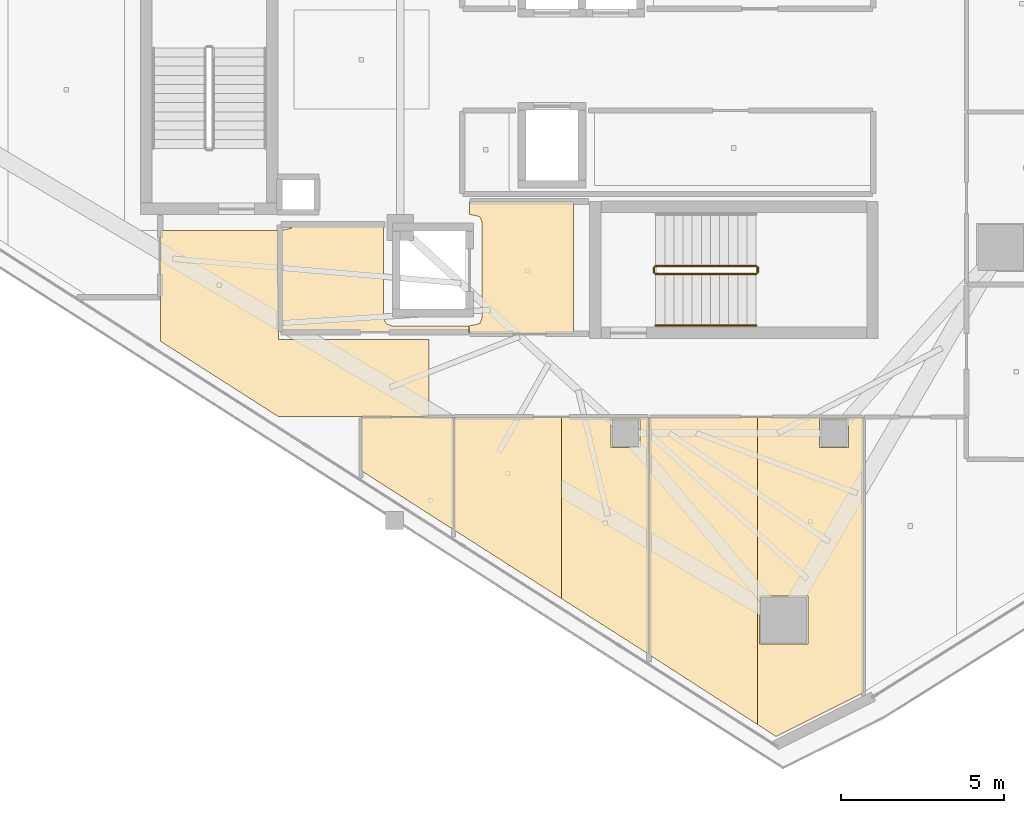
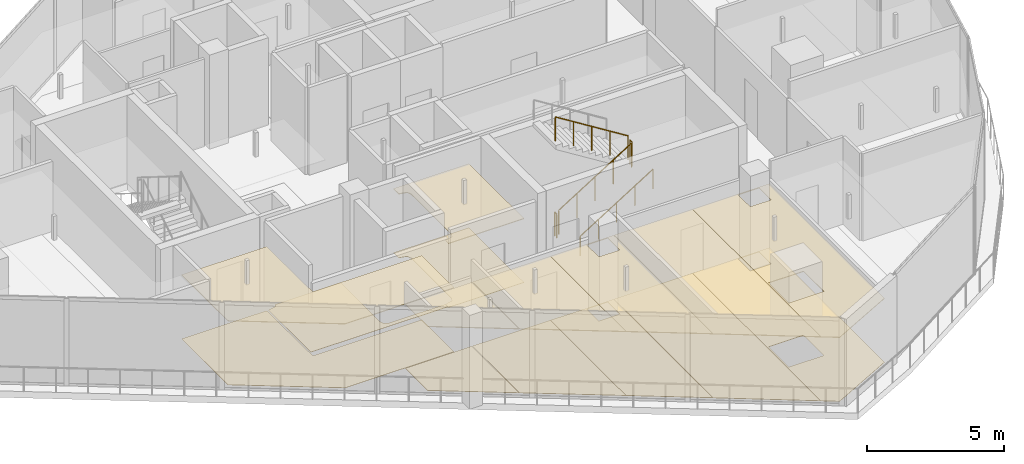
# One storey, part 20 of 24: 15 coverings, 5 railings.
"""IFC4 building model written with IfcOpenShell, lengths in metres."""

from ifc_helpers import new_model, si_unit, direction, frame, origin, origin_2d, place, context, subcontext, project, spatial, polyline, circle, outline, extrude, material, layer, layer_set, type_object, element, save


model = new_model("IFC4")

# Units and contexts
model_context = context("Model", 3, precision=1e-05, world=origin(), true_north=direction((0.0, 1.0)))
body_context = subcontext(model_context, "Body", "Model", "MODEL_VIEW")
ifc_project = project(units=[si_unit("LENGTHUNIT", "METRE"), si_unit("AREAUNIT", "SQUARE_METRE"), si_unit("VOLUMEUNIT", "CUBIC_METRE"), si_unit("PLANEANGLEUNIT", "RADIAN"), si_unit("MASSUNIT", "GRAM", prefix="KILO")], contexts=[model_context])

# Site, building, storey
site_placement = place(None, origin())
site = spatial("IfcSite", under=ifc_project, at=site_placement, CompositionType="ELEMENT")
building_placement = place(site_placement, origin())
building = spatial("IfcBuilding", under=site, at=building_placement, Name="Qorvath Tower", CompositionType="ELEMENT")
storey_placement = place(building_placement, frame((0.0, 0.0, 318.60009765625)))
storey = spatial("IfcBuildingStorey", under=building, at=storey_placement, Name="L74", CompositionType="ELEMENT", Elevation=318.60009765625)

# Coverings
ifc_material_1 = material(Name="Acoustic mineral fibre ceiling tile", Category="gypsum")
ifc_layer_1 = layer(ifc_material_1, 0.030029296875)
ifc_layer_set_1 = layer_set([ifc_layer_1], Name="COV-CEIL")
covering_type_1 = type_object("IfcCoveringType", Name="COV-CEIL", PredefinedType="CEILING", material=ifc_layer_set_1)
covering_1_placement = place(storey_placement, frame((0.0, 0.0, 2.849853515625)))
element("IfcCovering", 1, at=covering_1_placement, inside=storey, type_object=covering_type_1, Name="L74 Suspended Acoustic Ceiling 002", PredefinedType="CEILING", context=body_context, shape_type="SweptSolid", body=[
    extrude(outline(polyline([(-25.18994140625, -8.39501953125), (-25.18994140625, -4.35498046875), (-28.375, -4.35498046875), (-28.375, -4.739990234375), (-28.063232421875, -4.813232421875), (-27.989990234375, -4.989990234375), (-27.989990234375, -7.909912109375), (-28.063232421875, -8.086669921875), (-28.375, -8.159912109375), (-28.375, -8.39501953125), (-25.18994140625, -8.39501953125)])), origin(), (0.0, 0.0, 1.0), 0.030029296875),
])
covering_2_placement = place(storey_placement, frame((0.0, 0.0, 2.849853515625)))
element("IfcCovering", 2, at=covering_2_placement, inside=storey, type_object=covering_type_1, Name="L74 Suspended Acoustic Ceiling 010", PredefinedType="CEILING", context=body_context, shape_type="SweptSolid", body=[
    extrude(outline(polyline([(-34.22509765625, -8.580078125), (-34.251220703125, -5.239990234375), (-37.844970703125, -5.239990234375), (-37.844970703125, -8.632568359375), (-34.22705078125, -10.945068359375), (-29.614990234375, -10.945068359375), (-29.614990234375, -8.5771484375), (-34.22509765625, -8.580078125)])), origin(), (0.0, 0.0, 1.0), 0.030029296875),
])
covering_3_placement = place(storey_placement, frame((0.0, 0.0, 2.849853515625)))
element("IfcCovering", 3, at=covering_3_placement, inside=storey, type_object=covering_type_1, Name="L74 Suspended Acoustic Ceiling 019", PredefinedType="CEILING", context=body_context, shape_type="SweptSolid", body=[
    extrude(outline(polyline([(-31.69140625, -12.60107421875), (-28.8720703125, -14.403076171875), (-28.8720703125, -10.962890625), (-31.69140625, -10.962890625), (-31.69140625, -12.60107421875)])), origin(), (0.0, 0.0, 1.0), 0.030029296875),
])
covering_4_placement = place(storey_placement, frame((0.0, 0.0, 2.849853515625)))
element("IfcCovering", 4, at=covering_4_placement, inside=storey, type_object=covering_type_1, Name="L74 Suspended Acoustic Ceiling 020", PredefinedType="CEILING", context=body_context, shape_type="SweptSolid", body=[
    extrude(outline(polyline([(-28.85400390625, -14.41455078125), (-25.5615234375, -16.51513671875), (-25.5615234375, -10.962890625), (-28.85400390625, -10.962890625), (-28.85400390625, -14.41455078125)])), origin(), (0.0, 0.0, 1.0), 0.030029296875),
])
covering_5_placement = place(storey_placement, frame((0.0, 0.0, 2.849853515625)))
element("IfcCovering", 5, at=covering_5_placement, inside=storey, type_object=covering_type_1, Name="L74 Suspended Acoustic Ceiling 021", PredefinedType="CEILING", context=body_context, shape_type="SweptSolid", body=[
    extrude(outline(polyline([(-25.5615234375, -10.962890625), (-25.5615234375, -16.51513671875), (-22.880615234375, -18.225830078125), (-22.882080078125, -10.962890625), (-25.5615234375, -10.962890625)]), holes=[polyline([(-24.04248046875, -11.892333984375), (-24.04248046875, -11.007568359375), (-23.157470703125, -11.007568359375), (-23.157470703125, -11.892333984375), (-24.04248046875, -11.892333984375)])]), origin(), (0.0, 0.0, 1.0), 0.030029296875),
])
covering_6_placement = place(storey_placement, frame((0.0, 0.0, 2.849853515625)))
element("IfcCovering", 6, at=covering_6_placement, inside=storey, type_object=covering_type_1, Name="L74 Suspended Acoustic Ceiling 022", PredefinedType="CEILING", context=body_context, shape_type="SweptSolid", body=[
    extrude(outline(polyline([(-22.87353515625, -18.23681640625), (-19.5546875, -20.374267578125), (-19.5546875, -10.962890625), (-22.864013671875, -10.962890625), (-22.87353515625, -18.23681640625)])), origin(), (0.0, 0.0, 1.0), 0.030029296875),
])
covering_7_placement = place(storey_placement, frame((0.0, 0.0, 2.849853515625)))
element("IfcCovering", 7, at=covering_7_placement, inside=storey, type_object=covering_type_1, Name="L74 Suspended Acoustic Ceiling 023", PredefinedType="CEILING", context=body_context, shape_type="SweptSolid", body=[
    extrude(outline(polyline([(-19.5546875, -10.962890625), (-19.5546875, -20.374267578125), (-18.976318359375, -20.74658203125), (-16.302490234375, -19.404296875), (-16.3017578125, -10.962890625), (-19.5546875, -10.962890625)]), holes=[polyline([(-17.642333984375, -11.892333984375), (-17.642333984375, -11.007568359375), (-16.757568359375, -11.007568359375), (-16.757568359375, -11.892333984375), (-17.642333984375, -11.892333984375)]), polyline([(-19.492919921875, -17.91796875), (-19.492919921875, -16.43310546875), (-18.008056640625, -16.43310546875), (-18.008056640625, -17.91796875), (-19.492919921875, -17.91796875)])]), origin(), (0.0, 0.0, 1.0), 0.030029296875),
])
ifc_material_2 = material(Name="Low-VOC modular carpet tile", Category="textile")
ifc_layer_2 = layer(ifc_material_2, 0.014892578125)
ifc_layer_set_2 = layer_set([ifc_layer_2], Name="COV-FLOOR-CPT")
covering_type_2 = type_object("IfcCoveringType", Name="COV-FLOOR-CPT", PredefinedType="FLOORING", material=ifc_layer_set_2)
covering_8_placement = place(storey_placement, origin())
element("IfcCovering", 8, at=covering_8_placement, inside=storey, type_object=covering_type_2, Name="L74 Floor Finish 008", PredefinedType="FLOORING", context=body_context, shape_type="SweptSolid", body=[
    extrude(outline(polyline([(-33.786865234375, -5.054931640625), (-33.833251953125, -5.166748046875), (-34.175048828125, -5.239990234375), (-34.175048828125, -8.344970703125), (-28.39306640625, -8.344970703125), (-28.39306640625, -8.159912109375), (-30.760009765625, -8.159912109375), (-30.936767578125, -8.086669921875), (-31.010009765625, -7.909912109375), (-31.010009765625, -5.054931640625), (-33.786865234375, -5.054931640625)])), origin(), (0.0, 0.0, 1.0), 0.014892578125),
])
covering_9_placement = place(storey_placement, origin())
element("IfcCovering", 9, at=covering_9_placement, inside=storey, type_object=covering_type_2, Name="L74 Floor Finish 019", PredefinedType="FLOORING", context=body_context, shape_type="SweptSolid", body=[
    extrude(outline(polyline([(-31.69140625, -12.60107421875), (-28.8720703125, -14.403076171875), (-28.8720703125, -10.962890625), (-31.69140625, -10.962890625), (-31.69140625, -12.60107421875)])), origin(), (0.0, 0.0, 1.0), 0.014892578125),
])
covering_10_placement = place(storey_placement, origin())
element("IfcCovering", 10, at=covering_10_placement, inside=storey, type_object=covering_type_2, Name="L74 Floor Finish 020", PredefinedType="FLOORING", context=body_context, shape_type="SweptSolid", body=[
    extrude(outline(polyline([(-28.85400390625, -14.41455078125), (-25.5615234375, -16.51513671875), (-25.5615234375, -10.962890625), (-28.85400390625, -10.962890625), (-28.85400390625, -14.41455078125)])), origin(), (0.0, 0.0, 1.0), 0.014892578125),
])
covering_11_placement = place(storey_placement, origin())
element("IfcCovering", 11, at=covering_11_placement, inside=storey, type_object=covering_type_2, Name="L74 Floor Finish 021", PredefinedType="FLOORING", context=body_context, shape_type="SweptSolid", body=[
    extrude(outline(polyline([(-25.5615234375, -10.962890625), (-25.5615234375, -16.51513671875), (-22.880615234375, -18.225830078125), (-22.882080078125, -10.962890625), (-25.5615234375, -10.962890625)]), holes=[polyline([(-24.04248046875, -11.892333984375), (-24.04248046875, -11.007568359375), (-23.157470703125, -11.007568359375), (-23.157470703125, -11.892333984375), (-24.04248046875, -11.892333984375)])]), origin(), (0.0, 0.0, 1.0), 0.014892578125),
])
covering_12_placement = place(storey_placement, origin())
element("IfcCovering", 12, at=covering_12_placement, inside=storey, type_object=covering_type_2, Name="L74 Floor Finish 022", PredefinedType="FLOORING", context=body_context, shape_type="SweptSolid", body=[
    extrude(outline(polyline([(-22.87353515625, -18.23681640625), (-19.5546875, -20.374267578125), (-19.5546875, -10.962890625), (-22.864013671875, -10.962890625), (-22.87353515625, -18.23681640625)])), origin(), (0.0, 0.0, 1.0), 0.014892578125),
])
covering_13_placement = place(storey_placement, origin())
element("IfcCovering", 13, at=covering_13_placement, inside=storey, type_object=covering_type_2, Name="L74 Floor Finish 023", PredefinedType="FLOORING", context=body_context, shape_type="SweptSolid", body=[
    extrude(outline(polyline([(-19.5546875, -10.962890625), (-19.5546875, -20.374267578125), (-18.976318359375, -20.74658203125), (-16.302490234375, -19.404296875), (-16.3017578125, -10.962890625), (-19.5546875, -10.962890625)]), holes=[polyline([(-17.642333984375, -11.892333984375), (-17.642333984375, -11.007568359375), (-16.757568359375, -11.007568359375), (-16.757568359375, -11.892333984375), (-17.642333984375, -11.892333984375)]), polyline([(-19.492919921875, -17.91796875), (-19.492919921875, -16.43310546875), (-18.008056640625, -16.43310546875), (-18.008056640625, -17.91796875), (-19.492919921875, -17.91796875)])]), origin(), (0.0, 0.0, 1.0), 0.014892578125),
])
ifc_material_3 = material(Name="Polished epoxy terrazzo flooring", Category="concrete")
ifc_layer_3 = layer(ifc_material_3, 0.02001953125)
ifc_layer_set_3 = layer_set([ifc_layer_3], Name="COV-FLOOR-TRZ")
covering_type_3 = type_object("IfcCoveringType", Name="COV-FLOOR-TRZ", PredefinedType="FLOORING", material=ifc_layer_set_3)
covering_14_placement = place(storey_placement, origin())
element("IfcCovering", 14, at=covering_14_placement, inside=storey, type_object=covering_type_3, Name="L74 Floor Finish 002", PredefinedType="FLOORING", context=body_context, shape_type="SweptSolid", body=[
    extrude(outline(polyline([(-25.18994140625, -8.39501953125), (-25.18994140625, -4.35498046875), (-28.375, -4.35498046875), (-28.375, -4.739990234375), (-28.063232421875, -4.813232421875), (-27.989990234375, -4.989990234375), (-27.989990234375, -7.909912109375), (-28.063232421875, -8.086669921875), (-28.375, -8.159912109375), (-28.375, -8.39501953125), (-25.18994140625, -8.39501953125)])), origin(), (0.0, 0.0, 1.0), 0.014892578125),
])
covering_15_placement = place(storey_placement, origin())
element("IfcCovering", 15, at=covering_15_placement, inside=storey, type_object=covering_type_3, Name="L74 Floor Finish 010", PredefinedType="FLOORING", context=body_context, shape_type="SweptSolid", body=[
    extrude(outline(polyline([(-34.22509765625, -8.580078125), (-34.251220703125, -5.239990234375), (-37.844970703125, -5.239990234375), (-37.844970703125, -8.632568359375), (-34.22705078125, -10.945068359375), (-29.614990234375, -10.945068359375), (-29.614990234375, -8.5771484375), (-34.22509765625, -8.580078125)])), origin(), (0.0, 0.0, 1.0), 0.014892578125),
])

# Railings
ifc_material_4 = material(Name="Painted galvanised steel", Category="steel")
railing_type_1 = type_object("IfcRailingType", Name="RL-STR-GRD", PredefinedType="GUARDRAIL", material=ifc_material_4)
railing_1_placement = place(storey_placement, frame((-22.669921875, -6.570068359375, 0.1748046875)))
element("IfcRailing", 16, at=railing_1_placement, inside=storey, type_object=railing_type_1, Name="L74 TS2 stair guard 1", PredefinedType="GUARDRAIL", context=body_context, shape_type="SweptSolid", body=[
    extrude(circle(Radius=0.02392578125, at=origin_2d()), frame((0.0, 0.0, 1.076171875), z_axis=(0.847979421464, 0.0, 0.530029150871), x_axis=(0.0, 1.0, 0.0)), (0.0, 0.0, 1.0), 3.632080078125),
    extrude(circle(Radius=0.02099609375, at=origin_2d()), origin(), (0.0, 0.0, 1.0), 1.052001953125),
    extrude(circle(Radius=0.02099609375, at=origin_2d()), frame((0.77001953125, 0.0, 0.481201171875)), (0.0, 0.0, 1.0), 1.052001953125),
    extrude(circle(Radius=0.02099609375, at=origin_2d()), frame((1.5400390625, 0.0, 0.96240234375)), (0.0, 0.0, 1.0), 1.052001953125),
    extrude(circle(Radius=0.02099609375, at=origin_2d()), frame((2.309814453125, 0.0, 1.44384765625)), (0.0, 0.0, 1.0), 1.052001953125),
    extrude(circle(Radius=0.02099609375, at=origin_2d()), frame((3.079833984375, 0.0, 1.925048828125)), (0.0, 0.0, 1.0), 1.052001953125),
])
railing_2_placement = place(storey_placement, frame((-19.5400390625, -6.52001953125, 2.099853515625)))
element("IfcRailing", 17, at=railing_2_placement, inside=storey, type_object=railing_type_1, Name="L74 TS2 stair guard 2", PredefinedType="GUARDRAIL", context=body_context, shape_type="SweptSolid", body=[
    extrude(circle(Radius=0.02392578125, at=origin_2d()), frame((0.0, 0.0, 1.076171875), z_axis=(0.0, 1.0, 0.0), x_axis=(-1.0, 0.0, 0.0)), (0.0, 0.0, 1.0), 0.14990234375),
    extrude(circle(Radius=0.02099609375, at=origin_2d()), origin(), (0.0, 0.0, 1.0), 1.052001953125),
    extrude(circle(Radius=0.02099609375, at=origin_2d()), frame((0.0, 0.14990234375, 0.0)), (0.0, 0.0, 1.0), 1.052001953125),
])
railing_3_placement = place(storey_placement, frame((-19.590087890625, -6.320068359375, 2.27490234375)))
element("IfcRailing", 18, at=railing_3_placement, inside=storey, type_object=railing_type_1, Name="L74 TS2 stair guard 3", PredefinedType="GUARDRAIL", context=body_context, shape_type="SweptSolid", body=[
    extrude(circle(Radius=0.02392578125, at=origin_2d()), frame((0.0, 0.0, 1.076171875), z_axis=(-0.847979421464, 0.0, 0.530029150871), x_axis=(0.0, -1.0, 0.0)), (0.0, 0.0, 1.0), 3.632080078125),
    extrude(circle(Radius=0.02099609375, at=origin_2d()), origin(), (0.0, 0.0, 1.0), 1.052001953125),
    extrude(circle(Radius=0.02099609375, at=origin_2d()), frame((-0.77001953125, 0.0, 0.481201171875)), (0.0, 0.0, 1.0), 1.052001953125),
    extrude(circle(Radius=0.02099609375, at=origin_2d()), frame((-1.5400390625, 0.0, 0.96240234375)), (0.0, 0.0, 1.0), 1.052001953125),
    extrude(circle(Radius=0.02099609375, at=origin_2d()), frame((-2.309814453125, 0.0, 1.44384765625)), (0.0, 0.0, 1.0), 1.052001953125),
    extrude(circle(Radius=0.02099609375, at=origin_2d()), frame((-3.079833984375, 0.0, 1.925048828125)), (0.0, 0.0, 1.0), 1.052001953125),
])
railing_4_placement = place(storey_placement, frame((-22.719970703125, -6.52001953125, 0.0)))
element("IfcRailing", 19, at=railing_4_placement, inside=storey, type_object=railing_type_1, Name="L74 TS2 stair guard 4", PredefinedType="GUARDRAIL", context=body_context, shape_type="SweptSolid", body=[
    extrude(circle(Radius=0.02392578125, at=origin_2d()), frame((0.0, 0.0, 1.076171875), z_axis=(0.0, 1.0, 0.0), x_axis=(-1.0, 0.0, 0.0)), (0.0, 0.0, 1.0), 0.14990234375),
    extrude(circle(Radius=0.02099609375, at=origin_2d()), origin(), (0.0, 0.0, 1.0), 1.052001953125),
    extrude(circle(Radius=0.02099609375, at=origin_2d()), frame((0.0, 0.14990234375, 0.0)), (0.0, 0.0, 1.0), 1.052001953125),
])
ifc_material_5 = material(Name="Brushed stainless steel AISI 304", Category="steel")
railing_type_2 = type_object("IfcRailingType", Name="RL-STR-HND", PredefinedType="HANDRAIL", material=ifc_material_5)
railing_5_placement = place(storey_placement, frame((-22.669921875, -8.14990234375, 0.1748046875)))
element("IfcRailing", 20, at=railing_5_placement, inside=storey, type_object=railing_type_2, Name="L74 TS2 stair handrail 1", PredefinedType="HANDRAIL", context=body_context, shape_type="SweptSolid", body=[
    extrude(circle(Radius=0.02392578125, at=origin_2d()), frame((0.0, 0.0, 0.8759765625), z_axis=(0.847979421464, 0.0, 0.530029150871), x_axis=(0.0, 1.0, 0.0)), (0.0, 0.0, 1.0), 3.632080078125),
    extrude(circle(Radius=0.02099609375, at=origin_2d()), origin(), (0.0, 0.0, 1.0), 0.851806640625),
    extrude(circle(Radius=0.02099609375, at=origin_2d()), frame((0.77001953125, 0.0, 0.481201171875)), (0.0, 0.0, 1.0), 0.851806640625),
    extrude(circle(Radius=0.02099609375, at=origin_2d()), frame((1.5400390625, 0.0, 0.96240234375)), (0.0, 0.0, 1.0), 0.851806640625),
    extrude(circle(Radius=0.02099609375, at=origin_2d()), frame((2.309814453125, 0.0, 1.44384765625)), (0.0, 0.0, 1.0), 0.851806640625),
    extrude(circle(Radius=0.02099609375, at=origin_2d()), frame((3.079833984375, 0.0, 1.925048828125)), (0.0, 0.0, 1.0), 0.851806640625),
])

save(model, "model.ifc")
